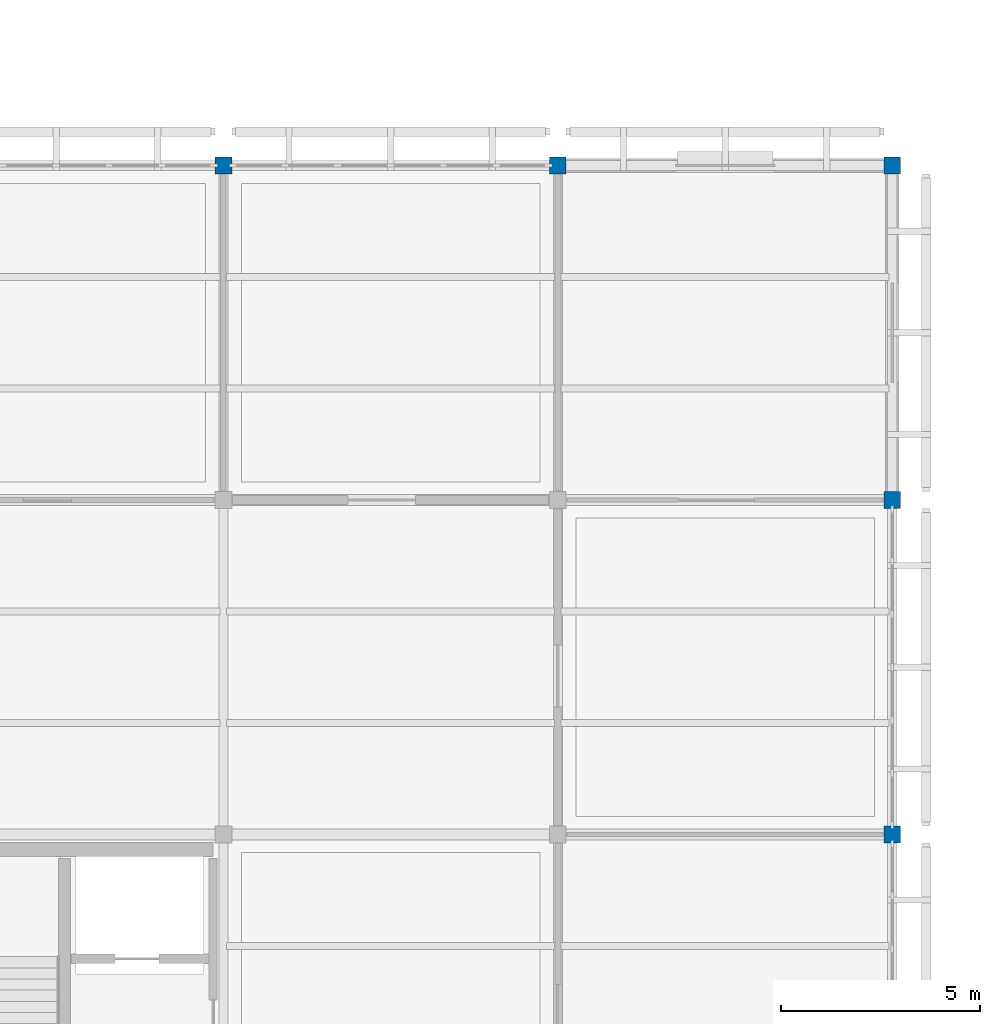
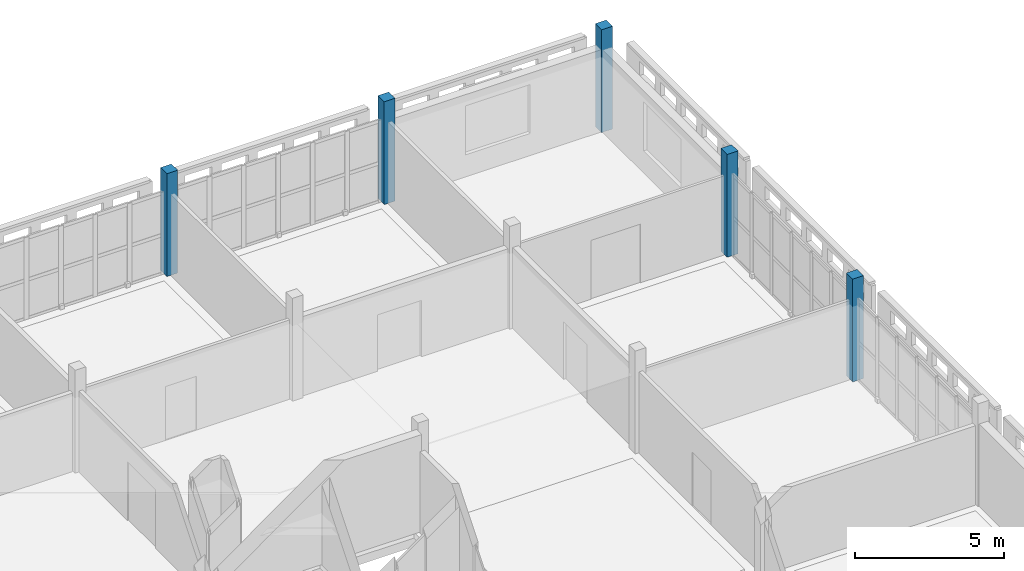
# One storey, part 15 of 166: 5 columns.
"""IFC4 building model written with IfcOpenShell, lengths in metres."""

from ifc_helpers import new_model, si_unit, direction, frame, origin, origin_2d, place, context, subcontext, project, spatial, rectangle, extrude, material, material_profile, profile_set, type_object, element, save


model = new_model("IFC4")

# Units and contexts
model_context = context("Model", 3, precision=1e-05, world=origin(), true_north=direction((0.0, 1.0)))
body_context = subcontext(model_context, "Body", "Model", "MODEL_VIEW")
ifc_project = project(units=[si_unit("LENGTHUNIT", "METRE"), si_unit("AREAUNIT", "SQUARE_METRE"), si_unit("VOLUMEUNIT", "CUBIC_METRE"), si_unit("PLANEANGLEUNIT", "RADIAN"), si_unit("MASSUNIT", "GRAM", prefix="KILO")], contexts=[model_context])

# Site, building, storey
site_placement = place(None, origin())
site = spatial("IfcSite", under=ifc_project, at=site_placement, CompositionType="ELEMENT")
building_placement = place(site_placement, origin())
building = spatial("IfcBuilding", under=site, at=building_placement, Name="Varnapada Polytechnic", CompositionType="ELEMENT")
storey_placement = place(building_placement, frame((0.0, 0.0, 9.60009765625)))
storey = spatial("IfcBuildingStorey", under=building, at=storey_placement, Name="L02", CompositionType="ELEMENT", Elevation=9.60009765625)

# Columns
ifc_material = material(Name="Glulam GL32h", Category="wood")
ifc_material_profile = material_profile(ifc_material, rectangle(XDim=0.419921875, YDim=0.419921875, at=origin_2d()), Name="GL 420x420")
ifc_profile_set = profile_set([ifc_material_profile], Name="Glulam GL32h")
column_type = type_object("IfcColumnType", Name="Column C-23 (GL 420x420)", PredefinedType="COLUMN", material=ifc_profile_set)
for number, where, z_axis, x_axis, name in (
    (1, (159.60009765625, 117.60009765625, 0.0), (0.0, 0.0, 1.0), (1.0, 0.0, 0.0), "L02 column 20/15"),
    (2, (168.0, 117.60009765625, 0.0), (0.0, 0.0, 1.0), (1.0, 0.0, 0.0), "L02 column 21/15"),
    (3, (176.39990234375, 100.800048828125, 0.0), (0.0, 0.0, 1.0), (1.0, 0.0, 0.0), "L02 column 22/13"),
    (4, (176.39990234375, 109.199951171875, 0.0), (0.0, 0.0, 1.0), (1.0, 0.0, 0.0), "L02 column 22/14"),
    (5, (176.39990234375, 117.60009765625, 0.0), (0.0, 0.0, 1.0), (1.0, 0.0, 0.0), "L02 column 22/15"),
):
    element("IfcColumn", number, at=place(storey_placement, frame(where, z_axis=z_axis, x_axis=x_axis)), inside=storey, type_object=column_type, Name=name, PredefinedType="COLUMN", context=body_context, shape_type="SweptSolid", body=[
        extrude(rectangle(XDim=0.419921875, YDim=0.419921875, at=origin_2d()), origin(), (0.0, 0.0, 1.0), 4.199951171875),
    ])

save(model, "model.ifc")
